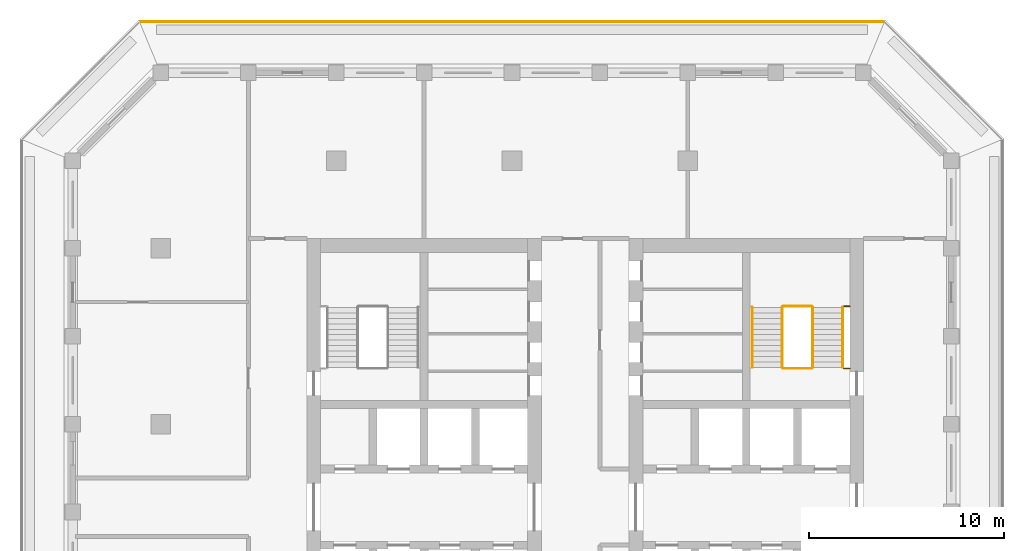
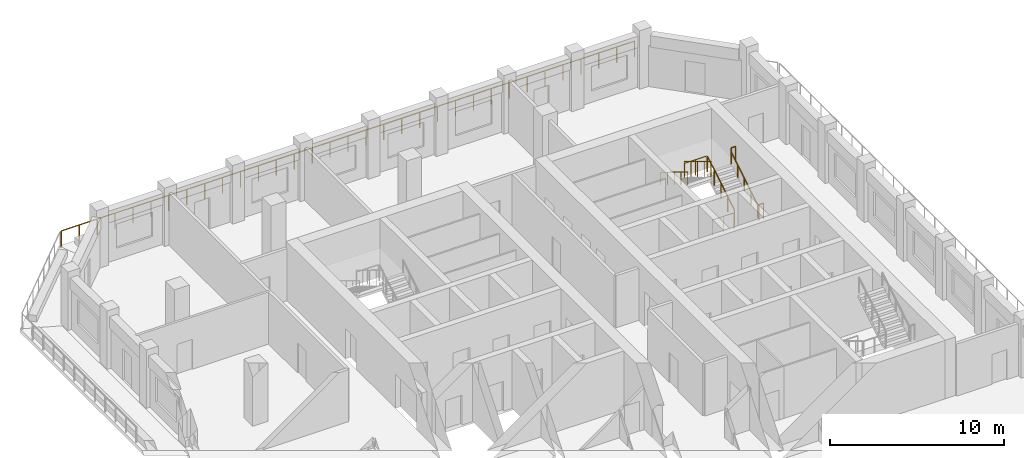
# One storey, part 12 of 14: 9 railings.
"""IFC4 building model written with IfcOpenShell, lengths in metres."""

from ifc_helpers import new_model, si_unit, direction, frame, origin, origin_2d, place, context, subcontext, project, spatial, circle, extrude, material, type_object, element, save


model = new_model("IFC4")

# Units and contexts
model_context = context("Model", 3, precision=1e-05, world=origin(), true_north=direction((0.0, 1.0)))
body_context = subcontext(model_context, "Body", "Model", "MODEL_VIEW")
ifc_project = project(units=[si_unit("LENGTHUNIT", "METRE"), si_unit("AREAUNIT", "SQUARE_METRE"), si_unit("VOLUMEUNIT", "CUBIC_METRE"), si_unit("PLANEANGLEUNIT", "RADIAN"), si_unit("MASSUNIT", "GRAM", prefix="KILO")], contexts=[model_context])

# Site, building, storey
site_placement = place(None, origin())
site = spatial("IfcSite", under=ifc_project, at=site_placement, CompositionType="ELEMENT")
building_placement = place(site_placement, origin())
building = spatial("IfcBuilding", under=site, at=building_placement, Name="Corbel Stack Research Tower", CompositionType="ELEMENT")
storey_placement = place(building_placement, frame((0.0, 0.0, 270.39990234375)))
storey = spatial("IfcBuildingStorey", under=building, at=storey_placement, Name="L61", CompositionType="ELEMENT", Elevation=270.39990234375)

# Railings
ifc_material_1 = material(Name="Steel S355", Category="steel")
railing_type_1 = type_object("IfcRailingType", Name="Stair guard 1100", PredefinedType="GUARDRAIL", material=ifc_material_1)
railing_1_placement = place(storey_placement, frame((15.39990234375, 11.89990234375, 0.1708984375)))
element("IfcRailing", 1, at=railing_1_placement, inside=storey, type_object=railing_type_1, Name="L61 ST-E2 stair guard 1", PredefinedType="GUARDRAIL", context=body_context, shape_type="SweptSolid", body=[
    extrude(circle(Radius=0.02392578125, at=origin_2d()), frame((0.0, 0.0, 1.076171875), z_axis=(0.0, 0.853666305674, 0.52082035152), x_axis=(-1.0, 0.0, 0.0)), (0.0, 0.0, 1.0), 3.608154296875),
    extrude(circle(Radius=0.02099609375, at=origin_2d()), origin(), (0.0, 0.0, 1.0), 1.052001953125),
    extrude(circle(Radius=0.02099609375, at=origin_2d()), frame((0.0, 0.77001953125, 0.4697265625)), (0.0, 0.0, 1.0), 1.052001953125),
    extrude(circle(Radius=0.02099609375, at=origin_2d()), frame((0.0, 1.5400390625, 0.939453125)), (0.0, 0.0, 1.0), 1.052001953125),
    extrude(circle(Radius=0.02099609375, at=origin_2d()), frame((0.0, 2.31005859375, 1.409423828125)), (0.0, 0.0, 1.0), 1.052001953125),
    extrude(circle(Radius=0.02099609375, at=origin_2d()), frame((0.0, 3.080078125, 1.879150390625)), (0.0, 0.0, 1.0), 1.052001953125),
])
railing_2_placement = place(storey_placement, frame((15.35009765625, 15.030029296875, 2.050048828125)))
element("IfcRailing", 2, at=railing_2_placement, inside=storey, type_object=railing_type_1, Name="L61 ST-E2 stair guard 2", PredefinedType="GUARDRAIL", context=body_context, shape_type="SweptSolid", body=[
    extrude(circle(Radius=0.02392578125, at=origin_2d()), frame((0.0, 0.0, 1.076171875), z_axis=(-1.0, 0.0, 0.0), x_axis=(0.0, -1.0, 0.0)), (0.0, 0.0, 1.0), 1.4501953125),
    extrude(circle(Radius=0.02099609375, at=origin_2d()), origin(), (0.0, 0.0, 1.0), 1.052001953125),
    extrude(circle(Radius=0.02099609375, at=origin_2d()), frame((-0.72509765625, 0.0, 0.0)), (0.0, 0.0, 1.0), 1.052001953125),
    extrude(circle(Radius=0.02099609375, at=origin_2d()), frame((-1.4501953125, 0.0, 0.0)), (0.0, 0.0, 1.0), 1.052001953125),
])
railing_3_placement = place(storey_placement, frame((17.300048828125, 15.030029296875, 2.050048828125)))
element("IfcRailing", 3, at=railing_3_placement, inside=storey, type_object=railing_type_1, Name="L61 ST-E2 stair guard 3", PredefinedType="GUARDRAIL", context=body_context, shape_type="SweptSolid", body=[
    extrude(circle(Radius=0.02392578125, at=origin_2d()), frame((0.0, 0.0, 1.076171875), z_axis=(-1.0, 0.0, 0.0), x_axis=(0.0, -1.0, 0.0)), (0.0, 0.0, 1.0), 0.300048828125),
    extrude(circle(Radius=0.02099609375, at=origin_2d()), origin(), (0.0, 0.0, 1.0), 1.052001953125),
    extrude(circle(Radius=0.02099609375, at=origin_2d()), frame((-0.300048828125, 0.0, 0.0)), (0.0, 0.0, 1.0), 1.052001953125),
])
railing_4_placement = place(storey_placement, frame((13.85009765625, 14.97998046875, 2.220947265625)))
element("IfcRailing", 4, at=railing_4_placement, inside=storey, type_object=railing_type_1, Name="L61 ST-E2 stair guard 4", PredefinedType="GUARDRAIL", context=body_context, shape_type="SweptSolid", body=[
    extrude(circle(Radius=0.02392578125, at=origin_2d()), frame((0.0, 0.0, 1.076171875), z_axis=(0.0, -0.853666305674, 0.52082035152), x_axis=(1.0, 0.0, 0.0)), (0.0, 0.0, 1.0), 3.608154296875),
    extrude(circle(Radius=0.02099609375, at=origin_2d()), origin(), (0.0, 0.0, 1.0), 1.052001953125),
    extrude(circle(Radius=0.02099609375, at=origin_2d()), frame((0.0, -0.77001953125, 0.4697265625)), (0.0, 0.0, 1.0), 1.052001953125),
    extrude(circle(Radius=0.02099609375, at=origin_2d()), frame((0.0, -1.5400390625, 0.939453125)), (0.0, 0.0, 1.0), 1.052001953125),
    extrude(circle(Radius=0.02099609375, at=origin_2d()), frame((0.0, -2.31005859375, 1.409423828125)), (0.0, 0.0, 1.0), 1.052001953125),
    extrude(circle(Radius=0.02099609375, at=origin_2d()), frame((0.0, -3.080078125, 1.879150390625)), (0.0, 0.0, 1.0), 1.052001953125),
])
railing_5_placement = place(storey_placement, frame((15.35009765625, 11.85009765625, 0.0)))
element("IfcRailing", 5, at=railing_5_placement, inside=storey, type_object=railing_type_1, Name="L61 ST-E2 stair guard 5", PredefinedType="GUARDRAIL", context=body_context, shape_type="SweptSolid", body=[
    extrude(circle(Radius=0.02392578125, at=origin_2d()), frame((0.0, 0.0, 1.076171875), z_axis=(-1.0, 0.0, 0.0), x_axis=(0.0, -1.0, 0.0)), (0.0, 0.0, 1.0), 1.4501953125),
    extrude(circle(Radius=0.02099609375, at=origin_2d()), origin(), (0.0, 0.0, 1.0), 1.052001953125),
    extrude(circle(Radius=0.02099609375, at=origin_2d()), frame((-0.72509765625, 0.0, 0.0)), (0.0, 0.0, 1.0), 1.052001953125),
    extrude(circle(Radius=0.02099609375, at=origin_2d()), frame((-1.4501953125, 0.0, 0.0)), (0.0, 0.0, 1.0), 1.052001953125),
])
railing_6_placement = place(storey_placement, frame((17.300048828125, 11.85009765625, 0.0)))
element("IfcRailing", 6, at=railing_6_placement, inside=storey, type_object=railing_type_1, Name="L61 ST-E2 stair guard 6", PredefinedType="GUARDRAIL", context=body_context, shape_type="SweptSolid", body=[
    extrude(circle(Radius=0.02392578125, at=origin_2d()), frame((0.0, 0.0, 1.076171875), z_axis=(-1.0, 0.0, 0.0), x_axis=(0.0, -1.0, 0.0)), (0.0, 0.0, 1.0), 0.300048828125),
    extrude(circle(Radius=0.02099609375, at=origin_2d()), origin(), (0.0, 0.0, 1.0), 1.052001953125),
    extrude(circle(Radius=0.02099609375, at=origin_2d()), frame((-0.300048828125, 0.0, 0.0)), (0.0, 0.0, 1.0), 1.052001953125),
])
ifc_material_2 = material(Name="Steel S355", Category="steel")
railing_type_2 = type_object("IfcRailingType", Name="Stair handrail 900", PredefinedType="HANDRAIL", material=ifc_material_2)
railing_7_placement = place(storey_placement, frame((16.949951171875, 11.89990234375, 0.1708984375)))
element("IfcRailing", 7, at=railing_7_placement, inside=storey, type_object=railing_type_2, Name="L61 ST-E2 stair handrail 1", PredefinedType="HANDRAIL", context=body_context, shape_type="SweptSolid", body=[
    extrude(circle(Radius=0.02392578125, at=origin_2d()), frame((0.0, 0.0, 0.8759765625), z_axis=(0.0, 0.853666305674, 0.52082035152), x_axis=(-1.0, 0.0, 0.0)), (0.0, 0.0, 1.0), 3.608154296875),
    extrude(circle(Radius=0.02099609375, at=origin_2d()), origin(), (0.0, 0.0, 1.0), 0.851806640625),
    extrude(circle(Radius=0.02099609375, at=origin_2d()), frame((0.0, 0.77001953125, 0.4697265625)), (0.0, 0.0, 1.0), 0.851806640625),
    extrude(circle(Radius=0.02099609375, at=origin_2d()), frame((0.0, 1.5400390625, 0.939453125)), (0.0, 0.0, 1.0), 0.851806640625),
    extrude(circle(Radius=0.02099609375, at=origin_2d()), frame((0.0, 2.31005859375, 1.409423828125)), (0.0, 0.0, 1.0), 0.851806640625),
    extrude(circle(Radius=0.02099609375, at=origin_2d()), frame((0.0, 3.080078125, 1.879150390625)), (0.0, 0.0, 1.0), 0.851806640625),
])
railing_8_placement = place(storey_placement, frame((12.300048828125, 14.97998046875, 2.220947265625)))
element("IfcRailing", 8, at=railing_8_placement, inside=storey, type_object=railing_type_2, Name="L61 ST-E2 stair handrail 2", PredefinedType="HANDRAIL", context=body_context, shape_type="SweptSolid", body=[
    extrude(circle(Radius=0.02392578125, at=origin_2d()), frame((0.0, 0.0, 0.8759765625), z_axis=(0.0, -0.853666305674, 0.52082035152), x_axis=(1.0, 0.0, 0.0)), (0.0, 0.0, 1.0), 3.608154296875),
    extrude(circle(Radius=0.02099609375, at=origin_2d()), origin(), (0.0, 0.0, 1.0), 0.851806640625),
    extrude(circle(Radius=0.02099609375, at=origin_2d()), frame((0.0, -0.77001953125, 0.4697265625)), (0.0, 0.0, 1.0), 0.851806640625),
    extrude(circle(Radius=0.02099609375, at=origin_2d()), frame((0.0, -1.5400390625, 0.939453125)), (0.0, 0.0, 1.0), 0.851806640625),
    extrude(circle(Radius=0.02099609375, at=origin_2d()), frame((0.0, -2.31005859375, 1.409423828125)), (0.0, 0.0, 1.0), 0.851806640625),
    extrude(circle(Radius=0.02099609375, at=origin_2d()), frame((0.0, -3.080078125, 1.879150390625)), (0.0, 0.0, 1.0), 0.851806640625),
])
ifc_material_3 = material(Name="Powder-coated steel guard", Category="steel")
railing_type_3 = type_object("IfcRailingType", Name="Steel and glass guard 1100", PredefinedType="GUARDRAIL", material=ifc_material_3)
railing_9_placement = place(storey_placement, frame((19.00537109375, 29.60009765625, 0.0)))
element("IfcRailing", 9, at=railing_9_placement, inside=storey, type_object=railing_type_3, Name="Loggia guard L61 N", PredefinedType="GUARDRAIL", context=body_context, shape_type="SweptSolid", body=[
    extrude(circle(Radius=0.02392578125, at=origin_2d()), frame((0.0, 0.0, 1.076171875), z_axis=(-1.0, 0.0, 0.0), x_axis=(0.0, -1.0, 0.0)), (0.0, 0.0, 1.0), 38.0107421875),
    extrude(circle(Radius=0.02099609375, at=origin_2d()), origin(), (0.0, 0.0, 1.0), 1.052001953125),
    extrude(circle(Radius=0.02099609375, at=origin_2d()), frame((-1.187744140625, 0.0, 0.0)), (0.0, 0.0, 1.0), 1.052001953125),
    extrude(circle(Radius=0.02099609375, at=origin_2d()), frame((-2.375732421875, 0.0, 0.0)), (0.0, 0.0, 1.0), 1.052001953125),
    extrude(circle(Radius=0.02099609375, at=origin_2d()), frame((-3.5634765625, 0.0, 0.0)), (0.0, 0.0, 1.0), 1.052001953125),
    extrude(circle(Radius=0.02099609375, at=origin_2d()), frame((-4.75146484375, 0.0, 0.0)), (0.0, 0.0, 1.0), 1.052001953125),
    extrude(circle(Radius=0.02099609375, at=origin_2d()), frame((-5.939208984375, 0.0, 0.0)), (0.0, 0.0, 1.0), 1.052001953125),
    extrude(circle(Radius=0.02099609375, at=origin_2d()), frame((-7.126953125, 0.0, 0.0)), (0.0, 0.0, 1.0), 1.052001953125),
    extrude(circle(Radius=0.02099609375, at=origin_2d()), frame((-8.31494140625, 0.0, 0.0)), (0.0, 0.0, 1.0), 1.052001953125),
    extrude(circle(Radius=0.02099609375, at=origin_2d()), frame((-9.502685546875, 0.0, 0.0)), (0.0, 0.0, 1.0), 1.052001953125),
    extrude(circle(Radius=0.02099609375, at=origin_2d()), frame((-10.6904296875, 0.0, 0.0)), (0.0, 0.0, 1.0), 1.052001953125),
    extrude(circle(Radius=0.02099609375, at=origin_2d()), frame((-11.87841796875, 0.0, 0.0)), (0.0, 0.0, 1.0), 1.052001953125),
    extrude(circle(Radius=0.02099609375, at=origin_2d()), frame((-13.066162109375, 0.0, 0.0)), (0.0, 0.0, 1.0), 1.052001953125),
    extrude(circle(Radius=0.02099609375, at=origin_2d()), frame((-14.25390625, 0.0, 0.0)), (0.0, 0.0, 1.0), 1.052001953125),
    extrude(circle(Radius=0.02099609375, at=origin_2d()), frame((-15.44189453125, 0.0, 0.0)), (0.0, 0.0, 1.0), 1.052001953125),
    extrude(circle(Radius=0.02099609375, at=origin_2d()), frame((-16.629638671875, 0.0, 0.0)), (0.0, 0.0, 1.0), 1.052001953125),
    extrude(circle(Radius=0.02099609375, at=origin_2d()), frame((-17.817626953125, 0.0, 0.0)), (0.0, 0.0, 1.0), 1.052001953125),
    extrude(circle(Radius=0.02099609375, at=origin_2d()), frame((-19.00537109375, 0.0, 0.0)), (0.0, 0.0, 1.0), 1.052001953125),
    extrude(circle(Radius=0.02099609375, at=origin_2d()), frame((-20.193115234375, 0.0, 0.0)), (0.0, 0.0, 1.0), 1.052001953125),
    extrude(circle(Radius=0.02099609375, at=origin_2d()), frame((-21.381103515625, 0.0, 0.0)), (0.0, 0.0, 1.0), 1.052001953125),
    extrude(circle(Radius=0.02099609375, at=origin_2d()), frame((-22.56884765625, 0.0, 0.0)), (0.0, 0.0, 1.0), 1.052001953125),
    extrude(circle(Radius=0.02099609375, at=origin_2d()), frame((-23.7568359375, 0.0, 0.0)), (0.0, 0.0, 1.0), 1.052001953125),
    extrude(circle(Radius=0.02099609375, at=origin_2d()), frame((-24.944580078125, 0.0, 0.0)), (0.0, 0.0, 1.0), 1.052001953125),
    extrude(circle(Radius=0.02099609375, at=origin_2d()), frame((-26.13232421875, 0.0, 0.0)), (0.0, 0.0, 1.0), 1.052001953125),
    extrude(circle(Radius=0.02099609375, at=origin_2d()), frame((-27.3203125, 0.0, 0.0)), (0.0, 0.0, 1.0), 1.052001953125),
    extrude(circle(Radius=0.02099609375, at=origin_2d()), frame((-28.508056640625, 0.0, 0.0)), (0.0, 0.0, 1.0), 1.052001953125),
    extrude(circle(Radius=0.02099609375, at=origin_2d()), frame((-29.69580078125, 0.0, 0.0)), (0.0, 0.0, 1.0), 1.052001953125),
    extrude(circle(Radius=0.02099609375, at=origin_2d()), frame((-30.8837890625, 0.0, 0.0)), (0.0, 0.0, 1.0), 1.052001953125),
    extrude(circle(Radius=0.02099609375, at=origin_2d()), frame((-32.071533203125, 0.0, 0.0)), (0.0, 0.0, 1.0), 1.052001953125),
    extrude(circle(Radius=0.02099609375, at=origin_2d()), frame((-33.25927734375, 0.0, 0.0)), (0.0, 0.0, 1.0), 1.052001953125),
    extrude(circle(Radius=0.02099609375, at=origin_2d()), frame((-34.447265625, 0.0, 0.0)), (0.0, 0.0, 1.0), 1.052001953125),
    extrude(circle(Radius=0.02099609375, at=origin_2d()), frame((-35.635009765625, 0.0, 0.0)), (0.0, 0.0, 1.0), 1.052001953125),
    extrude(circle(Radius=0.02099609375, at=origin_2d()), frame((-36.822998046875, 0.0, 0.0)), (0.0, 0.0, 1.0), 1.052001953125),
    extrude(circle(Radius=0.02099609375, at=origin_2d()), frame((-38.0107421875, 0.0, 0.0)), (0.0, 0.0, 1.0), 1.052001953125),
])

save(model, "model.ifc")
